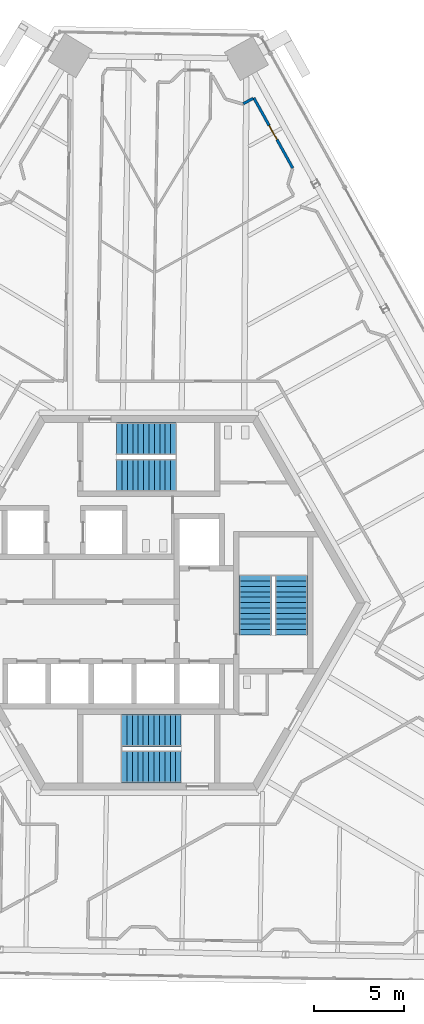
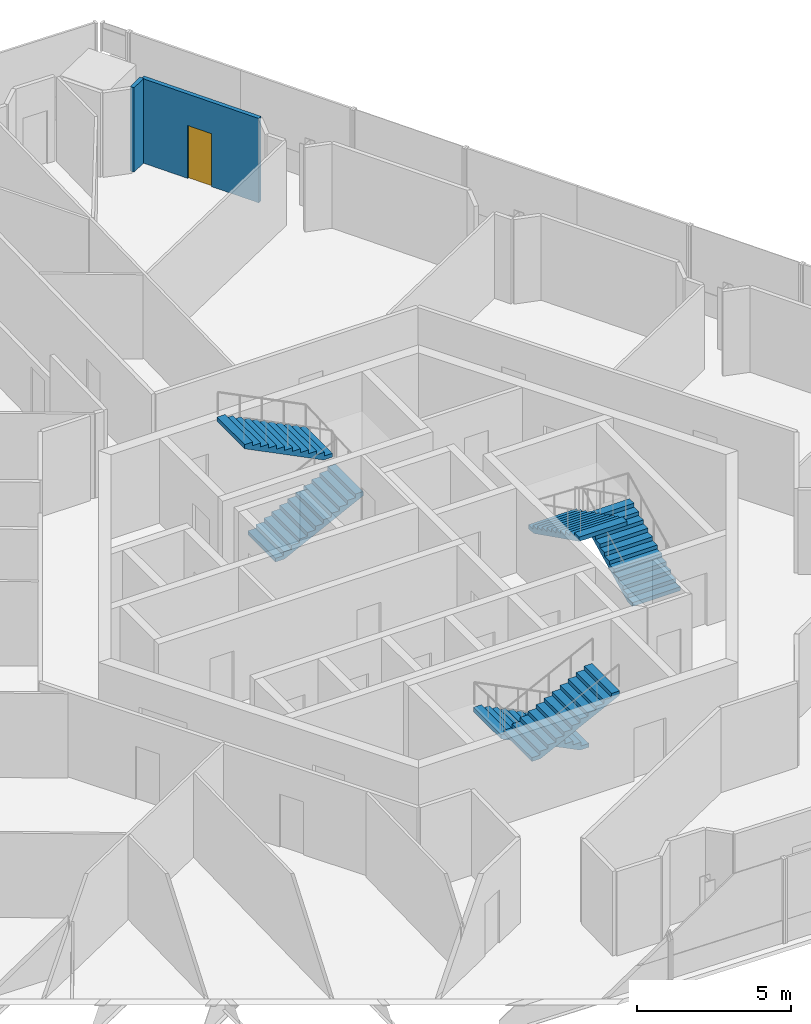
# One storey, part 20 of 24: 6 stair flights, 2 walls, 1 door, 1 opening, 3 elements without a shape of their own.
"""IFC4 building model written with IfcOpenShell, lengths in metres."""

from ifc_helpers import new_model, si_unit, direction, frame, frame_2d, origin, place, context, subcontext, project, spatial, polyline, rectangle, outline, extrude, source, transform, mapped, material, layer, layer_set, type_object, element, fill, aggregate, save


model = new_model("IFC4")

# Units and contexts
model_context = context("Model", 3, precision=1e-05, world=origin(), true_north=direction((0.0, 1.0)))
body_context = subcontext(model_context, "Body", "Model", "MODEL_VIEW")
ifc_project = project(units=[si_unit("LENGTHUNIT", "METRE"), si_unit("AREAUNIT", "SQUARE_METRE"), si_unit("VOLUMEUNIT", "CUBIC_METRE"), si_unit("PLANEANGLEUNIT", "RADIAN"), si_unit("MASSUNIT", "GRAM", prefix="KILO")], contexts=[model_context])

# Site, building, storey
site_placement = place(None, origin())
site = spatial("IfcSite", under=ifc_project, at=site_placement, CompositionType="ELEMENT")
building_placement = place(site_placement, origin())
building = spatial("IfcBuilding", under=site, at=building_placement, Name="Triune Harvest Tower", CompositionType="ELEMENT")
storey_placement = place(building_placement, frame((0.0, 0.0, 212.300048828125)))
storey = spatial("IfcBuildingStorey", under=building, at=storey_placement, Name="L55", CompositionType="ELEMENT", Elevation=212.300048828125)

# Wall, opening, door
ifc_material_1 = material(Name="Gypsum board on steel studs", Category="steel")
ifc_layer = layer(ifc_material_1, 0.14990234375)
ifc_layer_set = layer_set([ifc_layer], Name="Gypsum board on steel studs")
wall_type = type_object("IfcWallType", Name="Fire Partition 150 mm", PredefinedType="PARTITIONING", material=ifc_layer_set)
wall_1_placement = place(storey_placement, frame((5.826416015625, 28.013916015625, 0.0), z_axis=(0.0, 0.0, 1.0), x_axis=(0.484785370466, -0.874633148573, 0.0)))
wall_1 = element("IfcWall", 1, at=wall_1_placement, inside=storey, type_object=wall_type, Name="Partition L55 019", PredefinedType="PARTITIONING", context=body_context, shape_type="SweptSolid", body=[
    extrude(rectangle(XDim=4.44873046875, YDim=0.14990234375, at=frame_2d((2.224365234375, 0.0))), origin(), (0.0, 0.0, 1.0), 3.349853515625),
])
opening_placement = place(wall_1_placement, frame((1.75, 0.0, 0.0)))
opening = element("IfcOpeningElement", 2, at=opening_placement, cuts=wall_1, Name="Opening L55-007", PredefinedType="OPENING", context=body_context, shape_type="SweptSolid", body=[
    extrude(rectangle(XDim=0.89990234375, YDim=2.10009765625, at=frame_2d((0.449951171875, 1.050048828125))), frame((0.0, 0.0849609375, 0.0), z_axis=(0.0, -1.0, 0.0), x_axis=(1.0, 0.0, 0.0)), (0.0, 0.0, 1.0), 0.169921875),
])
ifc_material_2 = material(Name="Timber and steel door set", Category="steel")
door_type = type_object("IfcDoorType", Name="Single leaf door FD30 right hand 900 x 2100", OperationType="SINGLE_SWING_RIGHT", PredefinedType="DOOR", material=ifc_material_2)
door_placement = place(opening_placement, origin())
door = element("IfcDoor", 3, at=door_placement, inside=storey, type_object=door_type, Name="Door L55-007 Open Office 55.07", OperationType="SINGLE_SWING_RIGHT", OverallHeight=2.10009765625, OverallWidth=0.89990234375, PredefinedType="DOOR", context=body_context, shape_type="SweptSolid", body=[
    extrude(rectangle(XDim=0.89990234375, YDim=2.10009765625, at=frame_2d((0.449951171875, 1.050048828125))), frame((0.0, 0.02490234375, 0.0), z_axis=(0.0, -1.0, 0.0), x_axis=(1.0, 0.0, 0.0)), (0.0, 0.0, 1.0), 0.050048828125),
])
fill(opening, door)

# Wall
wall_2_placement = place(storey_placement, frame((5.239013671875, 27.68798828125, 0.0), z_axis=(0.0, 0.0, 1.0), x_axis=(0.874527486947, 0.484975952573, 0.0)))
element("IfcWall", 4, at=wall_2_placement, inside=storey, type_object=wall_type, Name="Partition L55 095", PredefinedType="PARTITIONING", context=body_context, shape_type="SweptSolid", body=[
    extrude(rectangle(XDim=0.621826171875, YDim=0.14990234375, at=frame_2d((0.31103515625, 0.0))), origin(), (0.0, 0.0, 1.0), 3.349853515625),
])

# Stair, stair flights
ifc_material_3 = material(Name="Concrete 40 MPa", Category="concrete")
stair_type = type_object("IfcStairType", Name="Exit stair 1800 half turn", PredefinedType="HALF_TURN_STAIR", material=ifc_material_3)
stair_1_placement = place(storey_placement, origin())
stair_1 = element("IfcStair", 5, at=stair_1_placement, inside=storey, type_object=stair_type, Name="Exit stair north", PredefinedType="HALF_TURN_STAIR")
ifc_material_4 = material(Name="Concrete 40 MPa", Category="concrete")
stair_flight_type = type_object("IfcStairFlightType", Name="Stair flight 1800", PredefinedType="STRAIGHT", material=ifc_material_4)
shared_shape = source(origin(), body_context, "Body", "SweptSolid", [
    extrude(outline(polyline([(0.0, 0.0), (0.0, 0.14990234375), (0.300048828125, 0.14990234375), (0.300048828125, 0.300048828125), (0.60009765625, 0.300048828125), (0.60009765625, 0.449951171875), (0.89990234375, 0.449951171875), (0.89990234375, 0.60009765625), (1.199951171875, 0.60009765625), (1.199951171875, 0.75), (1.5, 0.75), (1.5, 0.89990234375), (1.800048828125, 0.89990234375), (1.800048828125, 1.050048828125), (2.10009765625, 1.050048828125), (2.10009765625, 1.199951171875), (2.39990234375, 1.199951171875), (2.39990234375, 1.35009765625), (2.699951171875, 1.35009765625), (2.699951171875, 1.5), (3.0, 1.5), (3.0, 1.64990234375), (3.300048828125, 1.64990234375), (3.300048828125, 1.800048828125), (3.300048828125, 1.482421875), (0.335205078125, 0.0), (0.0, 0.0)])), frame((0.0, 0.89990234375, 0.0), z_axis=(0.0, -1.0, 0.0), x_axis=(1.0, 0.0, 0.0)), (0.0, 0.0, 1.0), 1.800048828125),
])
stair_flight_1_placement = place(storey_placement, frame((-1.7900390625, 7.090087890625, 0.0), z_axis=(0.0, 0.0, 1.0), x_axis=(1.0, 0.0, 0.0)))
stair_flight_1 = element("IfcStairFlight", 6, at=stair_flight_1_placement, type_object=stair_flight_type, Name="ST-1 flight 1", NumberOfRisers=12, NumberOfTreads=11, PredefinedType="STRAIGHT", RiserHeight=0.15, TreadLength=0.3, context=body_context, shape_type="MappedRepresentation", body=[
    mapped(shared_shape, transform((0.0, 0.0, 0.0), scale=1.0)),
])
stair_flight_2_placement = place(storey_placement, frame((1.510009765625, 9.090087890625, 1.800048828125), z_axis=(0.0, 0.0, 1.0), x_axis=(-1.0, 0.0, 0.0)))
stair_flight_2 = element("IfcStairFlight", 7, at=stair_flight_2_placement, type_object=stair_flight_type, Name="ST-1 flight 2", NumberOfRisers=12, NumberOfTreads=11, PredefinedType="STRAIGHT", RiserHeight=0.15, TreadLength=0.3, context=body_context, shape_type="MappedRepresentation", body=[
    mapped(shared_shape, transform((0.0, 0.0, 0.0), scale=1.0)),
])
aggregate(stair_1, [stair_flight_1, stair_flight_2])

stair_2_placement = place(storey_placement, origin())
stair_2 = element("IfcStair", 8, at=stair_2_placement, inside=storey, type_object=stair_type, Name="Exit stair south", PredefinedType="HALF_TURN_STAIR")
stair_flight_3_placement = place(storey_placement, frame((1.7900390625, -7.090087890625, 0.0), z_axis=(0.0, 0.0, 1.0), x_axis=(-1.0, 0.0, 0.0)))
stair_flight_3 = element("IfcStairFlight", 9, at=stair_flight_3_placement, type_object=stair_flight_type, Name="ST-2 flight 1", NumberOfRisers=12, NumberOfTreads=11, PredefinedType="STRAIGHT", RiserHeight=0.15, TreadLength=0.3, context=body_context, shape_type="MappedRepresentation", body=[
    mapped(shared_shape, transform((0.0, 0.0, 0.0), scale=1.0)),
])
stair_flight_4_placement = place(storey_placement, frame((-1.510009765625, -9.090087890625, 1.800048828125), z_axis=(0.0, 0.0, 1.0), x_axis=(1.0, 0.0, 0.0)))
stair_flight_4 = element("IfcStairFlight", 10, at=stair_flight_4_placement, type_object=stair_flight_type, Name="ST-2 flight 2", NumberOfRisers=12, NumberOfTreads=11, PredefinedType="STRAIGHT", RiserHeight=0.15, TreadLength=0.3, context=body_context, shape_type="MappedRepresentation", body=[
    mapped(shared_shape, transform((0.0, 0.0, 0.0), scale=1.0)),
])
aggregate(stair_2, [stair_flight_3, stair_flight_4])

stair_3_placement = place(storey_placement, origin())
stair_3 = element("IfcStair", 11, at=stair_3_placement, inside=storey, type_object=stair_type, Name="Exit stair east", PredefinedType="HALF_TURN_STAIR")
stair_flight_5_placement = place(storey_placement, frame((7.89990234375, -1.7900390625, 0.0), z_axis=(0.0, 0.0, 1.0), x_axis=(0.0, 1.0, 0.0)))
stair_flight_5 = element("IfcStairFlight", 12, at=stair_flight_5_placement, type_object=stair_flight_type, Name="ST-3 flight 1", NumberOfRisers=12, NumberOfTreads=11, PredefinedType="STRAIGHT", RiserHeight=0.15, TreadLength=0.3, context=body_context, shape_type="MappedRepresentation", body=[
    mapped(shared_shape, transform((0.0, 0.0, 0.0), scale=1.0)),
])
stair_flight_6_placement = place(storey_placement, frame((5.89990234375, 1.510009765625, 1.800048828125), z_axis=(0.0, 0.0, 1.0), x_axis=(0.0, -1.0, 0.0)))
stair_flight_6 = element("IfcStairFlight", 13, at=stair_flight_6_placement, type_object=stair_flight_type, Name="ST-3 flight 2", NumberOfRisers=12, NumberOfTreads=11, PredefinedType="STRAIGHT", RiserHeight=0.15, TreadLength=0.3, context=body_context, shape_type="MappedRepresentation", body=[
    mapped(shared_shape, transform((0.0, 0.0, 0.0), scale=1.0)),
])
aggregate(stair_3, [stair_flight_5, stair_flight_6])

save(model, "model.ifc")
